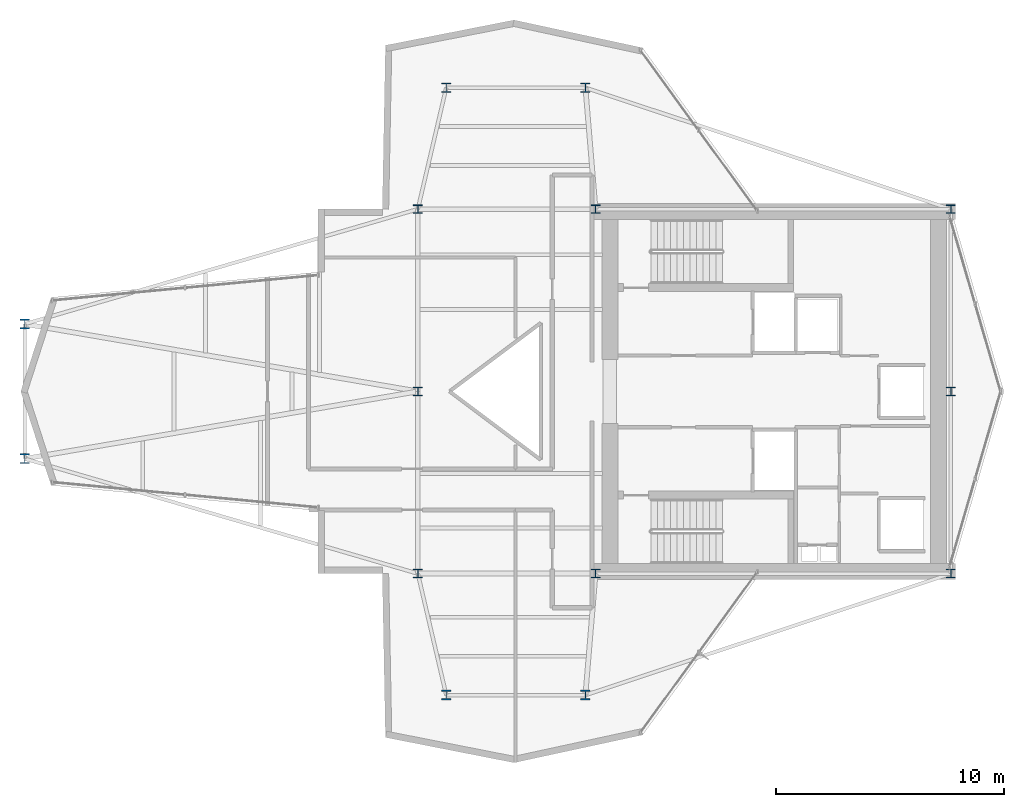
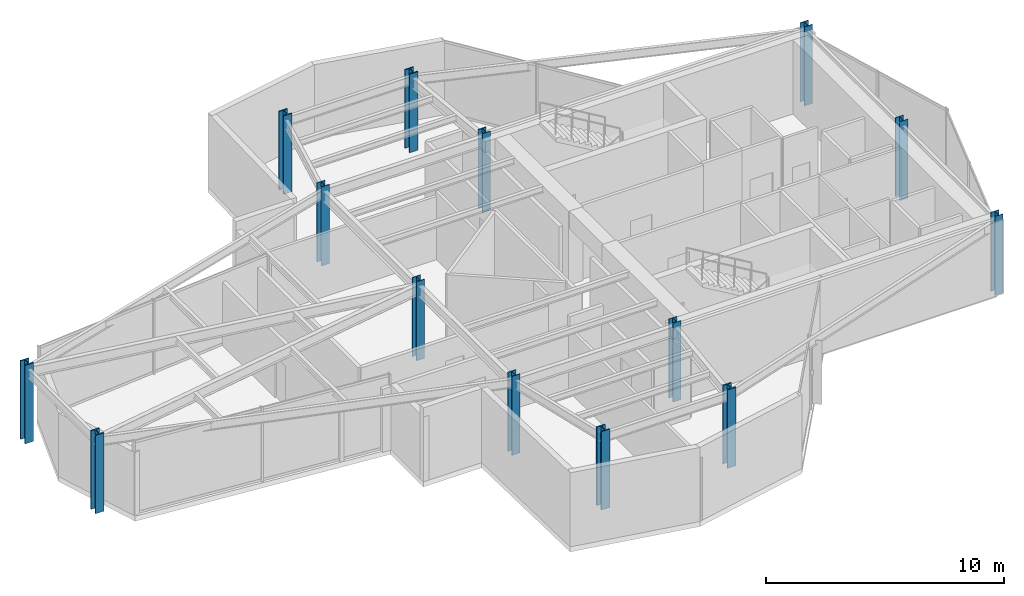
# One storey, part 1 of 21: 14 columns.
"""IFC4 building model written with IfcOpenShell, lengths in metres."""

import ifcopenshell
import ifcopenshell.guid

model = None  # the IFC model being written
_history = None  # IfcOwnerHistory: only IFC2X3 demands one
_inside = {}  # id of a spatial element -> (the spatial element, [elements in it])
_under = {}  # id of a project, library or spatial element -> (it, [spatial elements below it])
_declared = {}  # id of a project -> (the project, [libraries it declares])
_typed = {}  # id of a type object -> (the type object, [elements of that type])
_made_of = {}  # id of a material, layer set ... -> (it, [elements and type objects made of it])


def new_model(schema):
    """Start an empty IFC model of exactly this schema.

    Asked for "IFC4X3", IfcOpenShell would pick the latest addendum, in which some entities
    have other attributes; the version numbers below select the first issue.
    IFC2X3 requires an IfcOwnerHistory on every rooted entity: one is made here for all.
    """
    global model, _history
    if schema == "IFC4X3":
        model = ifcopenshell.file(schema_version=(4, 3, 0, 0))
    else:
        model = ifcopenshell.file(schema=schema)
    _inside.clear()
    _under.clear()
    _declared.clear()
    _typed.clear()
    _made_of.clear()
    _history = None
    if model.schema == "IFC2X3":
        org = make("IfcOrganization", Name="unknown")
        user = make(
            "IfcPersonAndOrganization",
            ThePerson=make("IfcPerson", FamilyName="unknown"),
            TheOrganization=org,
        )
        app = make(
            "IfcApplication",
            ApplicationDeveloper=org,
            Version="unknown",
            ApplicationFullName="unknown",
            ApplicationIdentifier="unknown",
        )
        _history = make(
            "IfcOwnerHistory",
            OwningUser=user,
            OwningApplication=app,
            ChangeAction="ADDED",
            CreationDate=0,
        )
    return model


def make(cls, **values):
    """One entity of the class cls with the attributes given. An attribute that is None is left unset."""
    return model.create_entity(
        cls, **{name: value for name, value in values.items() if value is not None}
    )


def rooted(cls, **values):
    """An entity with a GlobalId (a new one), such as an element, a storey or a relation."""
    return make(cls, GlobalId=ifcopenshell.guid.new(), OwnerHistory=_history, **values)


def si_unit(unit_type, name, prefix=None):
    """IfcSIUnit, for example si_unit("LENGTHUNIT", "METRE", prefix="MILLI")."""
    return make("IfcSIUnit", UnitType=unit_type, Prefix=prefix, Name=name)


def assignment(units):
    """IfcUnitAssignment: the units of a project."""
    return None if units is None else make("IfcUnitAssignment", Units=units)


def point(xyz):
    """IfcCartesianPoint."""
    return None if xyz is None else make("IfcCartesianPoint", Coordinates=xyz)


def direction(xyz):
    """IfcDirection."""
    return None if xyz is None else make("IfcDirection", DirectionRatios=xyz)


def frame(location, z_axis=None, x_axis=None):
    """IfcAxis2Placement3D, a coordinate frame: its origin and axes. An axis left out is left unset."""
    return make(
        "IfcAxis2Placement3D",
        Location=point(location),
        Axis=direction(z_axis),
        RefDirection=direction(x_axis),
    )


def frame_2d(location, x_axis=None):
    """IfcAxis2Placement2D, a coordinate frame in the plane: its origin and x axis."""
    return make(
        "IfcAxis2Placement2D", Location=point(location), RefDirection=direction(x_axis)
    )


def origin():
    """The frame at (0, 0, 0) with its axes left unset."""
    return frame((0.0, 0.0, 0.0))


def origin_2d():
    """The frame at (0, 0) in the plane with its x axis left unset."""
    return frame_2d((0.0, 0.0))


def place(relative_to, where):
    """IfcLocalPlacement: puts the frame where relative to a parent placement (None: the world)."""
    return make(
        "IfcLocalPlacement", PlacementRelTo=relative_to, RelativePlacement=where
    )


def context(
    kind, dimensions, precision=None, world=None, true_north=None, identifier=None
):
    """IfcGeometricRepresentationContext, for example the 3D "Model" context."""
    return make(
        "IfcGeometricRepresentationContext",
        ContextIdentifier=identifier,
        ContextType=kind,
        CoordinateSpaceDimension=dimensions,
        Precision=precision,
        WorldCoordinateSystem=world,
        TrueNorth=true_north,
    )


def subcontext(parent, identifier, kind, view, scale=None):
    """IfcGeometricRepresentationSubContext, for example "Body" below "Model"."""
    return make(
        "IfcGeometricRepresentationSubContext",
        ContextIdentifier=identifier,
        ContextType=kind,
        ParentContext=parent,
        TargetScale=scale,
        TargetView=view,
    )


def project(units=None, contexts=None):
    """IfcProject with its units and contexts."""
    return rooted(
        "IfcProject",
        Name="project",
        RepresentationContexts=contexts,
        UnitsInContext=assignment(units),
    )


def spatial(cls, under=None, at=None, **own):
    """A site, building, storey or space (cls), placed at a placement, below another one or the project."""
    s = rooted(cls, ObjectPlacement=at, **own)
    if under is not None:
        _under.setdefault(under.id(), (under, []))[1].append(s)
    return s


def profile(cls, at=None, kind="AREA", **sizes):
    """A parametric profile (cls). Its sizes go by their IFC names, for example OverallWidth=200.0."""
    return make(cls, ProfileType=kind, Position=at, **sizes)


def i_section(**sizes):
    """IfcIShapeProfileDef."""
    return profile("IfcIShapeProfileDef", **sizes)


def extrude(swept, where, along, depth):
    """IfcExtrudedAreaSolid: the profile swept, set in the frame where, extruded along a direction by depth."""
    return make(
        "IfcExtrudedAreaSolid",
        SweptArea=swept,
        Position=where,
        ExtrudedDirection=direction(along),
        Depth=depth,
    )


def shape(context_of_items, identifier, shape_type, items):
    """IfcShapeRepresentation: the items that make up one representation, for example the "Body"."""
    return make(
        "IfcShapeRepresentation",
        ContextOfItems=context_of_items,
        RepresentationIdentifier=identifier,
        RepresentationType=shape_type,
        Items=items,
    )


def material(Name=None, Category=None):
    """IfcMaterial."""
    return make("IfcMaterial", Name=Name, Category=Category)


def material_profile(
    of_material, cross_section, Name=None, Category=None, Priority=None
):
    """IfcMaterialProfile: a cross section and its material."""
    return make(
        "IfcMaterialProfile",
        Name=Name,
        Material=of_material,
        Profile=cross_section,
        Priority=Priority,
        Category=Category,
    )


def profile_set(profiles, Name=None, composite=None):
    """IfcMaterialProfileSet."""
    return make(
        "IfcMaterialProfileSet",
        Name=Name,
        MaterialProfiles=profiles,
        CompositeProfile=composite,
    )


def made_of(thing, what):
    """Note that an element or type object is made of a material, layer set ...; save() writes the relation."""
    if what is not None:
        _made_of.setdefault(what.id(), (what, []))[1].append(thing)
    return thing


def type_object(cls, material=None, **own):
    """A type object (cls), such as IfcWallType, which elements share."""
    return made_of(rooted(cls, **own), material)


def element(
    cls,
    number,
    at=None,
    inside=None,
    cuts=None,
    type_object=None,
    material=None,
    context=None,
    identifier="Body",
    shape_type=None,
    held_by="IfcProductDefinitionShape",
    body=None,
    shapes=None,
    **own,
):
    """One element of the class cls, such as IfcWall. Its Tag is "e" and its number.

    at: its placement. inside: the storey or other place that contains it. cuts: it is an
    opening in that element (IfcRelVoidsElement). A single representation is given by context,
    identifier, shape_type and body (its items); several are given by shapes. held_by: the class
    of the entity that holds the representations. save() writes the other relations.
    """
    e = rooted(cls, Tag="e%d" % number, ObjectPlacement=at, **own)
    if body is not None:
        shapes = [shape(context, identifier, shape_type, body)]
    if shapes is not None:
        e.Representation = make(held_by, Representations=shapes)
    if inside is not None:
        _inside.setdefault(inside.id(), (inside, []))[1].append(e)
    if cuts is not None:
        rooted(
            "IfcRelVoidsElement", RelatingBuildingElement=cuts, RelatedOpeningElement=e
        )
    if type_object is not None:
        _typed.setdefault(type_object.id(), (type_object, []))[1].append(e)
    return made_of(e, material)


def aggregate(whole, parts):
    """IfcRelAggregates: a whole, such as a stair, and the parts it consists of."""
    return rooted("IfcRelAggregates", RelatingObject=whole, RelatedObjects=parts)


def save(model, path):
    """Write the relations noted so far, then the file.

    IfcRelAggregates (storeys below a building ...), IfcRelContainedInSpatialStructure (elements
    in a storey), IfcRelDefinesByType, IfcRelAssociatesMaterial and IfcRelDeclares: one each for
    every whole, place, type object, material and project.
    """
    for whole, parts in _under.values():
        aggregate(whole, parts)
    for where, things in _inside.values():
        rooted(
            "IfcRelContainedInSpatialStructure",
            RelatedElements=things,
            RelatingStructure=where,
        )
    for kind, things in _typed.values():
        rooted("IfcRelDefinesByType", RelatedObjects=things, RelatingType=kind)
    for what, things in _made_of.values():
        rooted("IfcRelAssociatesMaterial", RelatedObjects=things, RelatingMaterial=what)
    for by, libraries in _declared.values():
        rooted("IfcRelDeclares", RelatingContext=by, RelatedDefinitions=libraries)
    model.write(path)


model = new_model("IFC4")

# Units and contexts
model_context = context("Model", 3, precision=1e-05, world=origin(), true_north=direction((0.0, 1.0)))
body_context = subcontext(model_context, "Body", "Model", "MODEL_VIEW")
ifc_project = project(units=[si_unit("LENGTHUNIT", "METRE"), si_unit("AREAUNIT", "SQUARE_METRE"), si_unit("VOLUMEUNIT", "CUBIC_METRE"), si_unit("PLANEANGLEUNIT", "RADIAN"), si_unit("MASSUNIT", "GRAM", prefix="KILO")], contexts=[model_context])

# Site, building, storey
site_placement = place(None, origin())
site = spatial("IfcSite", under=ifc_project, at=site_placement, CompositionType="ELEMENT")
building_placement = place(site_placement, origin())
building = spatial("IfcBuilding", under=site, at=building_placement, Name="Veymaron Broadcast Tower", CompositionType="ELEMENT")
storey_placement = place(building_placement, frame((0.0, 0.0, 228.300048828125)))
storey = spatial("IfcBuildingStorey", under=building, at=storey_placement, Name="L53", CompositionType="ELEMENT", Elevation=228.300048828125)

# Columns
ifc_material_1 = material(Name="Structural steel ASTM A992 Gr 50", Category="steel")
ifc_material_profile_1 = material_profile(ifc_material_1, i_section(OverallWidth=0.39404296875, OverallDepth=0.375, WebThickness=0.017333984375, FlangeThickness=0.027587890625, at=origin_2d()), Name="W360X216")
ifc_profile_set_1 = profile_set([ifc_material_profile_1], Name="Structural steel ASTM A992 Gr 50")
column_type_1 = type_object("IfcColumnType", Name="COL-HC3", PredefinedType="COLUMN", material=ifc_profile_set_1)
for number, where, z_axis, x_axis, name in (
    (1, (31.199951171875, 16.0, 0.0), (0.0, 0.0, 1.0), (1.0, 0.0, 0.0), "L53 structural hub and core column"),
    (2, (31.199951171875, 24.0, 0.0), (0.0, 0.0, 1.0), (1.0, 0.0, 0.0), "L53 structural hub and core column"),
    (3, (31.199951171875, 32.0, 0.0), (0.0, 0.0, 1.0), (1.0, 0.0, 0.0), "L53 structural hub and core column"),
    (4, (39.0, 16.0, 0.0), (0.0, 0.0, 1.0), (1.0, 0.0, 0.0), "L53 structural hub and core column"),
    (5, (39.0, 32.0, 0.0), (0.0, 0.0, 1.0), (1.0, 0.0, 0.0), "L53 structural hub and core column"),
    (6, (54.60009765625, 16.0, 0.0), (0.0, 0.0, 1.0), (1.0, 0.0, 0.0), "L53 structural hub and core column"),
    (7, (54.60009765625, 24.0, 0.0), (0.0, 0.0, 1.0), (1.0, 0.0, 0.0), "L53 structural hub and core column"),
    (8, (54.60009765625, 32.0, 0.0), (0.0, 0.0, 1.0), (1.0, 0.0, 0.0), "L53 structural hub and core column"),
):
    element("IfcColumn", number, at=place(storey_placement, frame(where, z_axis=z_axis, x_axis=x_axis)), inside=storey, type_object=column_type_1, Name=name, PredefinedType="COLUMN", context=body_context, shape_type="SweptSolid", body=[
        extrude(i_section(OverallWidth=0.39404296875, OverallDepth=0.375, WebThickness=0.017333984375, FlangeThickness=0.027587890625, at=origin_2d()), origin(), (0.0, 0.0, 1.0), 4.0439453125),
    ])
ifc_material_2 = material(Name="Structural steel ASTM A913 Gr 65", Category="steel")
ifc_material_profile_2 = material_profile(ifc_material_2, i_section(OverallWidth=0.412109375, OverallDepth=0.43505859375, WebThickness=0.035888671875, FlangeThickness=0.05810546875, at=origin_2d()), Name="W360X463")
ifc_profile_set_2 = profile_set([ifc_material_profile_2], Name="Structural steel ASTM A913 Gr 65")
column_type_2 = type_object("IfcColumnType", Name="COL-MC3", PredefinedType="COLUMN", material=ifc_profile_set_2)
for number, where, z_axis, x_axis, name in (
    (9, (13.94091796875, 21.044921875, 0.015869140625), (0.0, 0.0, 1.0), (1.0, 0.0, 0.0), "L53 Tapered Wing Mega Column"),
    (10, (13.94091796875, 26.955078125, 0.015869140625), (0.0, 0.0, 1.0), (1.0, 0.0, 0.0), "L53 Tapered Wing Mega Column"),
    (11, (32.446044921875, 37.330078125, 0.015869140625), (0.0, 0.0, 1.0), (1.0, 0.0, 0.0), "L53 Tapered Wing Mega Column"),
    (12, (38.554931640625, 37.330078125, 0.015869140625), (0.0, 0.0, 1.0), (1.0, 0.0, 0.0), "L53 Tapered Wing Mega Column"),
    (13, (32.446044921875, 10.669921875, 0.015869140625), (0.0, 0.0, 1.0), (1.0, 0.0, 0.0), "L53 Tapered Wing Mega Column"),
    (14, (38.554931640625, 10.669921875, 0.015869140625), (0.0, 0.0, 1.0), (1.0, 0.0, 0.0), "L53 Tapered Wing Mega Column"),
):
    element("IfcColumn", number, at=place(storey_placement, frame(where, z_axis=z_axis, x_axis=x_axis)), inside=storey, type_object=column_type_2, Name=name, PredefinedType="COLUMN", context=body_context, shape_type="SweptSolid", body=[
        extrude(i_section(OverallWidth=0.412109375, OverallDepth=0.43505859375, WebThickness=0.035888671875, FlangeThickness=0.05810546875, at=origin_2d()), origin(), (0.0, 0.0, 1.0), 4.01806640625),
    ])

save(model, "model.ifc")
